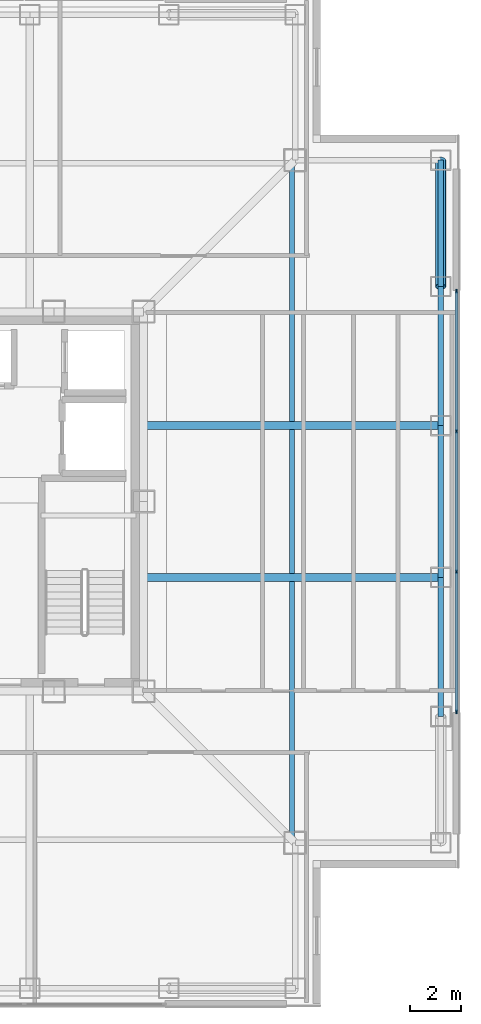
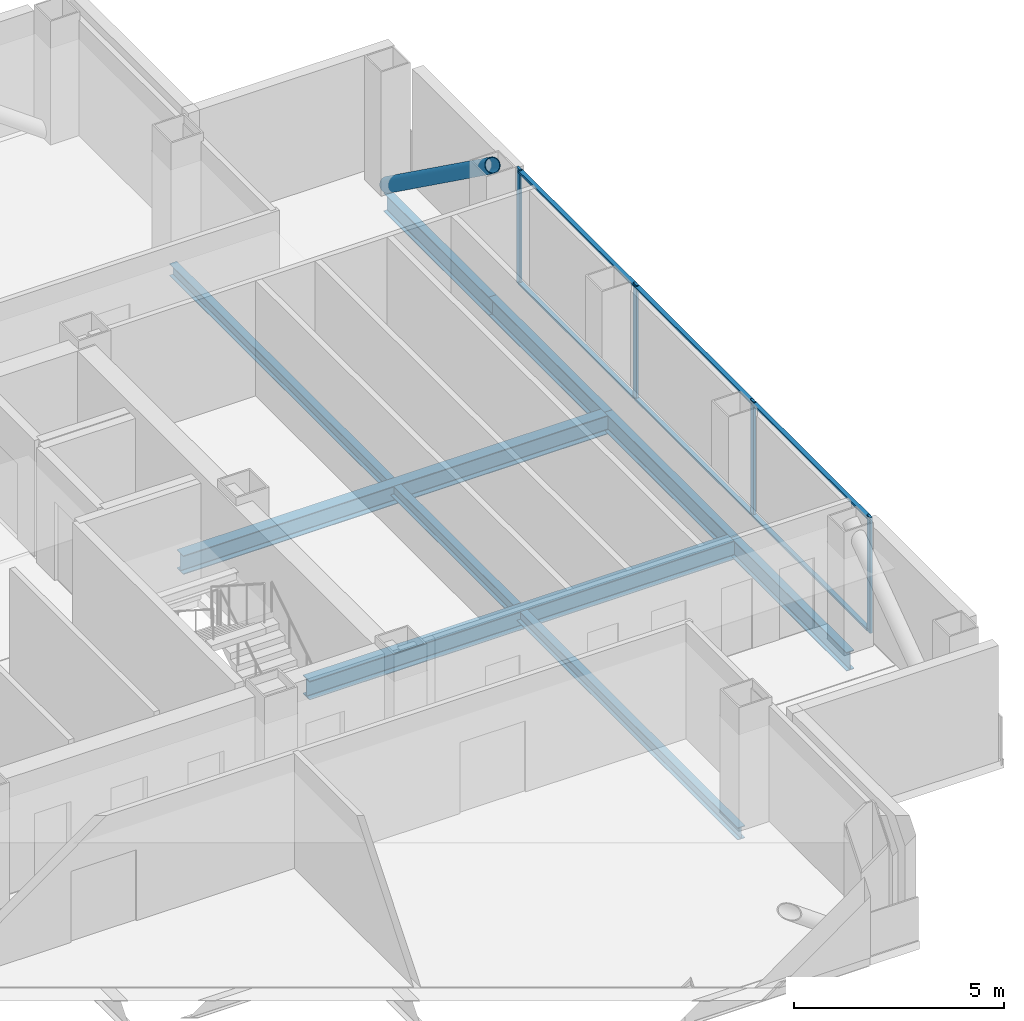
# One storey, part 6 of 17: 11 members, 7 beams, 1 element without a shape of its own.
"""IFC4 building model written with IfcOpenShell, lengths in metres."""

from ifc_helpers import new_model, si_unit, direction, frame, origin, origin_2d, place, context, subcontext, project, spatial, rectangle, hollow_circle, i_section, extrude, material, layer, layer_set, material_profile, profile_set, type_object, element, aggregate, save


model = new_model("IFC4")

# Units and contexts
model_context = context("Model", 3, precision=1e-05, world=origin(), true_north=direction((0.0, 1.0)))
body_context = subcontext(model_context, "Body", "Model", "MODEL_VIEW")
ifc_project = project(units=[si_unit("LENGTHUNIT", "METRE"), si_unit("AREAUNIT", "SQUARE_METRE"), si_unit("VOLUMEUNIT", "CUBIC_METRE"), si_unit("PLANEANGLEUNIT", "RADIAN"), si_unit("MASSUNIT", "GRAM", prefix="KILO")], contexts=[model_context])

# Site, building, storey
site_placement = place(None, origin())
site = spatial("IfcSite", under=ifc_project, at=site_placement, CompositionType="ELEMENT")
building_placement = place(site_placement, origin())
building = spatial("IfcBuilding", under=site, at=building_placement, Name="Trevonay Congress Spire", CompositionType="ELEMENT")
storey_placement = place(building_placement, frame((0.0, 0.0, 191.39990234375)))
storey = spatial("IfcBuildingStorey", under=building, at=storey_placement, Name="L49", CompositionType="ELEMENT", Elevation=191.39990234375)

# Beams
ifc_material_1 = material(Name="Steel ASTM A572 Grade 50", Category="steel")
ifc_material_profile_1 = material_profile(ifc_material_1, i_section(OverallWidth=0.31201171875, OverallDepth=0.54296875, WebThickness=0.0126953125, FlangeThickness=0.020263671875, FilletRadius=0.014892578125, at=origin_2d()), Name="W530x150")
ifc_profile_set_1 = profile_set([ifc_material_profile_1], Name="Steel ASTM A572 Grade 50")
beam_type_1 = type_object("IfcBeamType", Name="BM-GIRD-W530X150", PredefinedType="BEAM", material=ifc_profile_set_1)
for number, where, z_axis, x_axis, name in (
    (1, (7.5, -3.0, -0.511474609375), (1.0, 0.0, 0.0), (0.0, 1.0, 0.0), "L49 structural beam BM-L49-GE-M"),
    (2, (7.5, 3.0, -0.511474609375), (1.0, 0.0, 0.0), (0.0, 1.0, 0.0), "L49 structural beam BM-L49-GE-P"),
):
    element("IfcBeam", number, at=place(storey_placement, frame(where, z_axis=z_axis, x_axis=x_axis)), inside=storey, type_object=beam_type_1, Name=name, PredefinedType="BEAM", context=body_context, shape_type="SweptSolid", body=[
        extrude(i_section(OverallWidth=0.31201171875, OverallDepth=0.54296875, WebThickness=0.0126953125, FlangeThickness=0.020263671875, FilletRadius=0.014892578125, at=origin_2d()), origin(), (0.0, 0.0, 1.0), 11.75),
    ])
ifc_material_profile_2 = material_profile(ifc_material_1, i_section(OverallWidth=0.2119140625, OverallDepth=0.5439453125, WebThickness=0.01318359375, FlangeThickness=0.021240234375, FilletRadius=0.014892578125, at=origin_2d()), Name="W530x123")
ifc_profile_set_2 = profile_set([ifc_material_profile_2], Name="Steel ASTM A572 Grade 50")
beam_type_2 = type_object("IfcBeamType", Name="BM-RING-W530X123", PredefinedType="BEAM", material=ifc_profile_set_2)
beam_1_placement = place(storey_placement, frame((19.25, -8.5, -0.511962890625), z_axis=(0.0, 1.0, 0.0), x_axis=(-1.0, 0.0, 0.0)))
element("IfcBeam", 3, at=beam_1_placement, inside=storey, type_object=beam_type_2, Name="L49 structural beam BM-L49-PE2", PredefinedType="BEAM", context=body_context, shape_type="SweptSolid", body=[
    extrude(i_section(OverallWidth=0.2119140625, OverallDepth=0.5439453125, WebThickness=0.01318359375, FlangeThickness=0.021240234375, FilletRadius=0.014892578125, at=origin_2d()), origin(), (0.0, 0.0, 1.0), 5.5),
])
beam_2_placement = place(storey_placement, frame((19.25, -3.0, -0.511962890625), z_axis=(0.0, 1.0, 0.0), x_axis=(-1.0, 0.0, 0.0)))
element("IfcBeam", 4, at=beam_2_placement, inside=storey, type_object=beam_type_2, Name="L49 structural beam BM-L49-PE3", PredefinedType="BEAM", context=body_context, shape_type="SweptSolid", body=[
    extrude(i_section(OverallWidth=0.2119140625, OverallDepth=0.5439453125, WebThickness=0.01318359375, FlangeThickness=0.021240234375, FilletRadius=0.014892578125, at=origin_2d()), origin(), (0.0, 0.0, 1.0), 6.0),
])
beam_3_placement = place(storey_placement, frame((19.25, 3.0, -0.511962890625), z_axis=(0.0, 1.0, 0.0), x_axis=(-1.0, 0.0, 0.0)))
element("IfcBeam", 5, at=beam_3_placement, inside=storey, type_object=beam_type_2, Name="L49 structural beam BM-L49-PE4", PredefinedType="BEAM", context=body_context, shape_type="SweptSolid", body=[
    extrude(i_section(OverallWidth=0.2119140625, OverallDepth=0.5439453125, WebThickness=0.01318359375, FlangeThickness=0.021240234375, FilletRadius=0.014892578125, at=origin_2d()), origin(), (0.0, 0.0, 1.0), 5.5),
])
beam_4_placement = place(storey_placement, frame((19.25, 8.5, -0.511962890625), z_axis=(0.0, 1.0, 0.0), x_axis=(-1.0, 0.0, 0.0)))
element("IfcBeam", 6, at=beam_4_placement, inside=storey, type_object=beam_type_2, Name="L49 structural beam BM-L49-PE5", PredefinedType="BEAM", context=body_context, shape_type="SweptSolid", body=[
    extrude(i_section(OverallWidth=0.2119140625, OverallDepth=0.5439453125, WebThickness=0.01318359375, FlangeThickness=0.021240234375, FilletRadius=0.014892578125, at=origin_2d()), origin(), (0.0, 0.0, 1.0), 5.0),
])

# Curtain wall, members
ifc_material_2 = material(Name="Pale Anodised Aluminium EN AW-6063-T6", Category="aluminium")
ifc_layer = layer(ifc_material_2, 0.169921875, Name="Pale Anodised Aluminium EN AW-6063-T6")
ifc_layer_set = layer_set([ifc_layer], Name="Pale Anodised Aluminium EN AW-6063-T6")
curtain_wall_type = type_object("IfcCurtainWallType", Name="CW-SYS04-CORP-PALE-METAL", PredefinedType="NOTDEFINED", material=ifc_layer_set)
curtain_wall_placement = place(storey_placement, origin())
curtain_wall = element("IfcCurtainWall", 7, at=curtain_wall_placement, inside=storey, type_object=curtain_wall_type, Name="L49 E unitised curtain wall", PredefinedType="NOTDEFINED")
ifc_material_profile_3 = material_profile(ifc_material_2, rectangle(XDim=0.06005859375, YDim=0.159912109375, at=origin_2d()), Name="CW-MULLION-160-ALUMINIUM")
ifc_profile_set_3 = profile_set([ifc_material_profile_3], Name="Pale Anodised Aluminium EN AW-6063-T6")
member_type_1 = type_object("IfcMemberType", Name="CW-MULLION-160-ALUMINIUM", PredefinedType="MULLION", material=ifc_profile_set_3)
member_1_placement = place(storey_placement, frame((19.8798828125, -8.320068359375, 0.0), z_axis=(0.0, 0.0, 1.0), x_axis=(-1.0, 0.0, 0.0)))
member_1 = element("IfcMember", 8, at=member_1_placement, type_object=member_type_1, Name="CW04 mullion 1", PredefinedType="MULLION", context=body_context, shape_type="SweptSolid", body=[
    extrude(rectangle(XDim=0.06005859375, YDim=0.159912109375, at=origin_2d()), origin(), (0.0, 0.0, 1.0), 3.360107421875),
])
member_2_placement = place(storey_placement, frame((19.8798828125, -2.783447265625, 0.0), z_axis=(0.0, 0.0, 1.0), x_axis=(-1.0, 0.0, 0.0)))
member_2 = element("IfcMember", 9, at=member_2_placement, type_object=member_type_1, Name="CW04 mullion 2", PredefinedType="MULLION", context=body_context, shape_type="SweptSolid", body=[
    extrude(rectangle(XDim=0.06005859375, YDim=0.159912109375, at=origin_2d()), origin(), (0.0, 0.0, 1.0), 3.360107421875),
])
member_3_placement = place(storey_placement, frame((19.8798828125, 2.783447265625, 0.0), z_axis=(0.0, 0.0, 1.0), x_axis=(-1.0, 0.0, 0.0)))
member_3 = element("IfcMember", 10, at=member_3_placement, type_object=member_type_1, Name="CW04 mullion 3", PredefinedType="MULLION", context=body_context, shape_type="SweptSolid", body=[
    extrude(rectangle(XDim=0.06005859375, YDim=0.159912109375, at=origin_2d()), origin(), (0.0, 0.0, 1.0), 3.360107421875),
])
member_4_placement = place(storey_placement, frame((19.8798828125, 8.320068359375, 0.0), z_axis=(0.0, 0.0, 1.0), x_axis=(-1.0, 0.0, 0.0)))
member_4 = element("IfcMember", 11, at=member_4_placement, type_object=member_type_1, Name="CW04 mullion 4", PredefinedType="MULLION", context=body_context, shape_type="SweptSolid", body=[
    extrude(rectangle(XDim=0.06005859375, YDim=0.159912109375, at=origin_2d()), origin(), (0.0, 0.0, 1.0), 3.360107421875),
])
ifc_material_profile_4 = material_profile(ifc_material_2, rectangle(XDim=0.1201171875, YDim=0.06005859375, at=origin_2d()), Name="CW-TRANSOM-120-ALUMINIUM")
ifc_profile_set_4 = profile_set([ifc_material_profile_4], Name="Pale Anodised Aluminium EN AW-6063-T6")
member_type_2 = type_object("IfcMemberType", Name="CW-TRANSOM-120-ALUMINIUM", PredefinedType="USERDEFINED", material=ifc_profile_set_4)
member_5_placement = place(storey_placement, frame((19.8798828125, -8.2900390625, 0.06005859375), z_axis=(0.0, 1.0, 0.0), x_axis=(-1.0, 0.0, 0.0)))
member_5 = element("IfcMember", 12, at=member_5_placement, type_object=member_type_2, Name="CW04 transom 1.1", ObjectType="TRANSOM", PredefinedType="USERDEFINED", context=body_context, shape_type="SweptSolid", body=[
    extrude(rectangle(XDim=0.1201171875, YDim=0.06005859375, at=origin_2d()), origin(), (0.0, 0.0, 1.0), 5.476806640625),
])
member_6_placement = place(storey_placement, frame((19.8798828125, -8.2900390625, 3.300048828125), z_axis=(0.0, 1.0, 0.0), x_axis=(-1.0, 0.0, 0.0)))
member_6 = element("IfcMember", 13, at=member_6_placement, type_object=member_type_2, Name="CW04 transom 1.2", ObjectType="TRANSOM", PredefinedType="USERDEFINED", context=body_context, shape_type="SweptSolid", body=[
    extrude(rectangle(XDim=0.1201171875, YDim=0.06005859375, at=origin_2d()), origin(), (0.0, 0.0, 1.0), 5.476806640625),
])
member_7_placement = place(storey_placement, frame((19.8798828125, -2.75341796875, 0.06005859375), z_axis=(0.0, 1.0, 0.0), x_axis=(-1.0, 0.0, 0.0)))
member_7 = element("IfcMember", 14, at=member_7_placement, type_object=member_type_2, Name="CW04 transom 2.1", ObjectType="TRANSOM", PredefinedType="USERDEFINED", context=body_context, shape_type="SweptSolid", body=[
    extrude(rectangle(XDim=0.1201171875, YDim=0.06005859375, at=origin_2d()), origin(), (0.0, 0.0, 1.0), 5.5068359375),
])
member_8_placement = place(storey_placement, frame((19.8798828125, -2.75341796875, 3.300048828125), z_axis=(0.0, 1.0, 0.0), x_axis=(-1.0, 0.0, 0.0)))
member_8 = element("IfcMember", 15, at=member_8_placement, type_object=member_type_2, Name="CW04 transom 2.2", ObjectType="TRANSOM", PredefinedType="USERDEFINED", context=body_context, shape_type="SweptSolid", body=[
    extrude(rectangle(XDim=0.1201171875, YDim=0.06005859375, at=origin_2d()), origin(), (0.0, 0.0, 1.0), 5.5068359375),
])
member_9_placement = place(storey_placement, frame((19.8798828125, 2.813232421875, 0.06005859375), z_axis=(0.0, 1.0, 0.0), x_axis=(-1.0, 0.0, 0.0)))
member_9 = element("IfcMember", 16, at=member_9_placement, type_object=member_type_2, Name="CW04 transom 3.1", ObjectType="TRANSOM", PredefinedType="USERDEFINED", context=body_context, shape_type="SweptSolid", body=[
    extrude(rectangle(XDim=0.1201171875, YDim=0.06005859375, at=origin_2d()), origin(), (0.0, 0.0, 1.0), 5.476806640625),
])
member_10_placement = place(storey_placement, frame((19.8798828125, 2.813232421875, 3.300048828125), z_axis=(0.0, 1.0, 0.0), x_axis=(-1.0, 0.0, 0.0)))
member_10 = element("IfcMember", 17, at=member_10_placement, type_object=member_type_2, Name="CW04 transom 3.2", ObjectType="TRANSOM", PredefinedType="USERDEFINED", context=body_context, shape_type="SweptSolid", body=[
    extrude(rectangle(XDim=0.1201171875, YDim=0.06005859375, at=origin_2d()), origin(), (0.0, 0.0, 1.0), 5.476806640625),
])
aggregate(curtain_wall, [member_1, member_2, member_3, member_4, member_5, member_6, member_7, member_8, member_9, member_10])

# Beam
ifc_material_profile_5 = material_profile(ifc_material_1, i_section(OverallWidth=0.205078125, OverallDepth=0.35400390625, WebThickness=0.009521484375, FlangeThickness=0.016845703125, FilletRadius=0.011962890625, at=origin_2d()), Name="W360x79")
ifc_profile_set_5 = profile_set([ifc_material_profile_5], Name="Steel ASTM A572 Grade 50")
beam_type_3 = type_object("IfcBeamType", Name="JS-COMP-W360X79", PredefinedType="JOIST", material=ifc_profile_set_5)
beam_5_placement = place(storey_placement, frame((13.375, -13.5, -0.4169921875), z_axis=(0.0, 1.0, 0.0), x_axis=(-1.0, 0.0, 0.0)))
element("IfcBeam", 18, at=beam_5_placement, inside=storey, type_object=beam_type_3, Name="L49 structural beam JS-L49-RING-E", PredefinedType="JOIST", context=body_context, shape_type="SweptSolid", body=[
    extrude(i_section(OverallWidth=0.205078125, OverallDepth=0.35400390625, WebThickness=0.009521484375, FlangeThickness=0.016845703125, FilletRadius=0.011962890625, at=origin_2d()), origin(), (0.0, 0.0, 1.0), 27.0),
])

# Member
ifc_material_3 = material(Name="Steel ASTM A500 Grade C", Category="steel")
ifc_material_profile_6 = material_profile(ifc_material_3, hollow_circle(Radius=0.203125, WallThickness=0.02001953125, at=origin_2d()), Name="CHS 406.4x20")
ifc_profile_set_6 = profile_set([ifc_material_profile_6], Name="Steel ASTM A500 Grade C")
member_type_3 = type_object("IfcMemberType", Name="MBR-TUBE-CHS406", PredefinedType="BRACE", material=ifc_profile_set_6)
member_11_placement = place(storey_placement, frame((19.25, 13.5, -0.0498046875), z_axis=(0.0, -0.811545615365, 0.584289067313), x_axis=(1.0, 0.0, 0.0)))
element("IfcMember", 19, at=member_11_placement, inside=storey, type_object=member_type_3, Name="L49 perimeter braced-tube diagonal E4", PredefinedType="BRACE", context=body_context, shape_type="SweptSolid", body=[
    extrude(hollow_circle(Radius=0.203125, WallThickness=0.02001953125, at=origin_2d()), origin(), (0.0, 0.0, 1.0), 6.1611328125),
])

save(model, "model.ifc")
